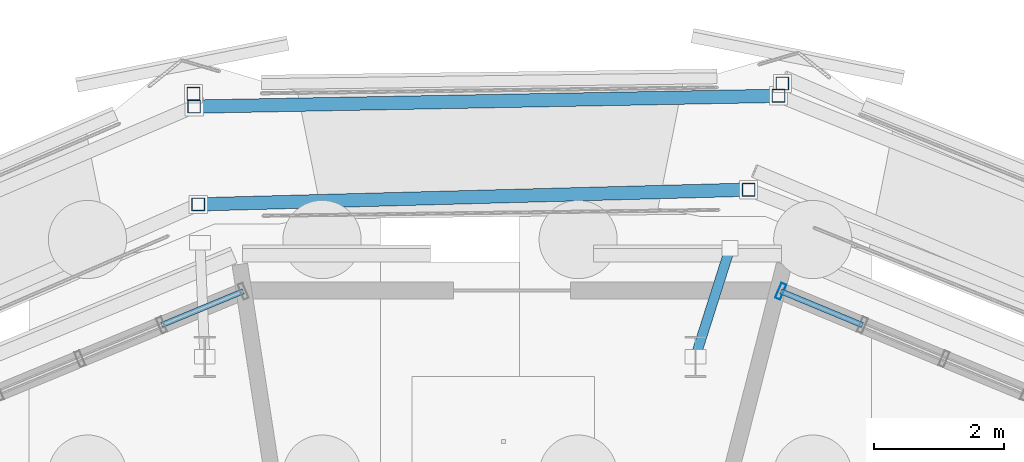
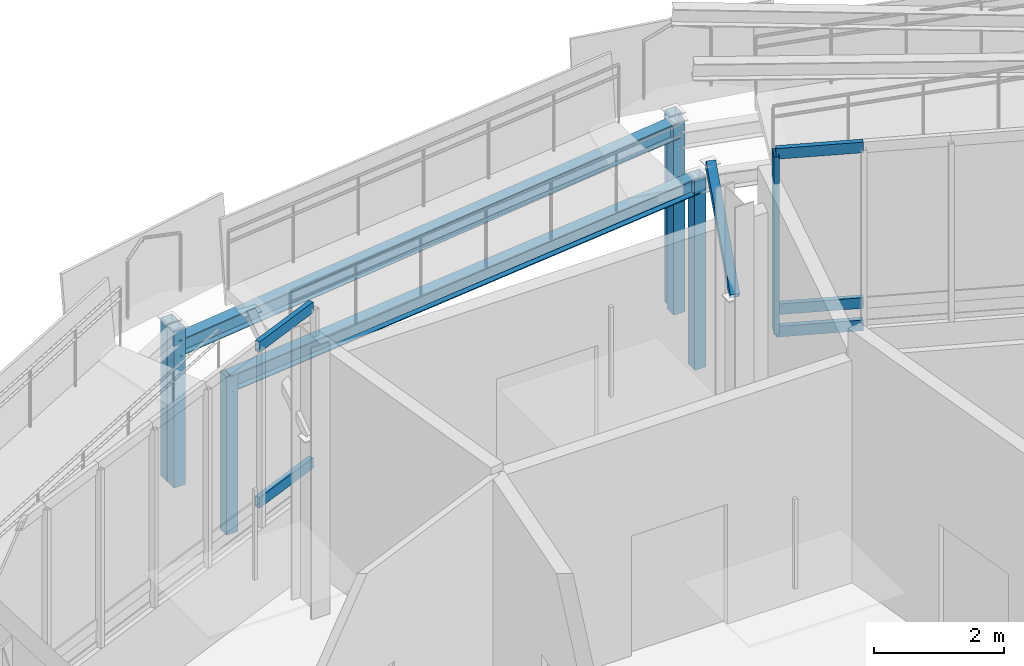
# One storey, part 51 of 119: 13 members, 2 beams, 2 elements without a shape of their own.
"""IFC4 building model written with IfcOpenShell, lengths in metres."""

from ifc_helpers import new_model, si_unit, derived_unit, direction, frame, origin, origin_2d, place, context, subcontext, project, spatial, hollow_rectangle, i_section, extrude, material, layer, layer_set, material_profile, profile_set, type_object, element, aggregate, save


model = new_model("IFC4")

# Units and contexts
model_context = context("Model", 3, precision=1e-05, world=origin(), true_north=direction((0.0, 1.0)))
body_context = subcontext(model_context, "Body", "Model", "MODEL_VIEW")
ifc_project = project(units=[si_unit("LENGTHUNIT", "METRE"), si_unit("AREAUNIT", "SQUARE_METRE"), si_unit("VOLUMEUNIT", "CUBIC_METRE"), si_unit("PLANEANGLEUNIT", "RADIAN"), si_unit("MASSUNIT", "GRAM", prefix="KILO"), derived_unit("THERMALTRANSMITTANCEUNIT", [(si_unit("MASSUNIT", "GRAM", prefix="KILO"), 1), (si_unit("TIMEUNIT", "SECOND"), -3), (si_unit("THERMODYNAMICTEMPERATUREUNIT", "KELVIN"), -1)])], contexts=[model_context])

# Site, building, storey
site_placement = place(None, origin())
site = spatial("IfcSite", under=ifc_project, at=site_placement, CompositionType="ELEMENT")
building_placement = place(site_placement, origin())
building = spatial("IfcBuilding", under=site, at=building_placement, Name="Makaiwela Harbour Ferry Terminal", CompositionType="ELEMENT")
storey_placement = place(building_placement, origin())
storey = spatial("IfcBuildingStorey", under=building, at=storey_placement, Name="L00", CompositionType="ELEMENT", Elevation=0.0)

# Curtain wall, members
ifc_material_1 = material(Name="Marine anodised aluminium 6063-T6", Category="aluminium")
ifc_layer = layer(ifc_material_1, 0.199951171875)
ifc_layer_set = layer_set([ifc_layer], Name="Marine anodised aluminium 6063-T6")
curtain_wall_type = type_object("IfcCurtainWallType", Name="ENV-CW-01", PredefinedType="USERDEFINED", material=ifc_layer_set)
curtain_wall_1_placement = place(storey_placement, origin())
curtain_wall_1 = element("IfcCurtainWall", 1, at=curtain_wall_1_placement, inside=storey, type_object=curtain_wall_type, Name="Unitised Curtain Wall CWA-002", ObjectType="UNITIZED CURTAIN WALL", PredefinedType="USERDEFINED")
ifc_material_profile_1 = material_profile(ifc_material_1, hollow_rectangle(XDim=0.0849609375, YDim=0.25, WallThickness=0.0048828125, at=origin_2d()), Name="CWM-250X85")
ifc_profile_set_1 = profile_set([ifc_material_profile_1], Name="Marine anodised aluminium 6063-T6")
member_type_1 = type_object("IfcMemberType", Name="CW-MUL-250", PredefinedType="MULLION", material=ifc_profile_set_1)
member_1_placement = place(storey_placement, frame((42.174560546875, 88.034912109375, 1.47998046875), z_axis=(0.0, 0.0, 1.0), x_axis=(-0.923879532511, 0.382683432365, 0.0)))
member_1 = element("IfcMember", 2, at=member_1_placement, type_object=member_type_1, Name="Curtain Wall Mullion CWA-002-7", PredefinedType="MULLION", context=body_context, shape_type="SweptSolid", body=[
    extrude(hollow_rectangle(XDim=0.0849609375, YDim=0.25, WallThickness=0.0048828125, at=origin_2d()), origin(), (0.0, 0.0, 1.0), 3.340087890625),
])
ifc_material_profile_2 = material_profile(ifc_material_1, hollow_rectangle(XDim=0.0849609375, YDim=0.199951171875, WallThickness=0.0048828125, at=origin_2d()), Name="CWT-200X85")
ifc_profile_set_2 = profile_set([ifc_material_profile_2], Name="Marine anodised aluminium 6063-T6")
member_type_2 = type_object("IfcMemberType", Name="CW-TRN-200", PredefinedType="USERDEFINED", material=ifc_profile_set_2)
member_2_placement = place(storey_placement, frame((43.427001953125, 87.51611328125, 1.47998046875), z_axis=(-0.923874156886, 0.382696410016, 0.0), x_axis=(-0.382696410016, -0.923874156886, 0.0)))
member_2 = element("IfcMember", 3, at=member_2_placement, type_object=member_type_2, Name="Curtain Wall Transom CWA-002-6-1", ObjectType="TRANSOM", PredefinedType="USERDEFINED", context=body_context, shape_type="SweptSolid", body=[
    extrude(hollow_rectangle(XDim=0.0849609375, YDim=0.199951171875, WallThickness=0.0048828125, at=origin_2d()), origin(), (0.0, 0.0, 1.0), 1.355712890625),
])
member_3_placement = place(storey_placement, frame((43.427001953125, 87.51611328125, 1.89990234375), z_axis=(-0.923874156886, 0.382696410016, 0.0), x_axis=(-0.382696410016, -0.923874156886, 0.0)))
member_3 = element("IfcMember", 4, at=member_3_placement, type_object=member_type_2, Name="Curtain Wall Transom CWA-002-6-2", ObjectType="TRANSOM", PredefinedType="USERDEFINED", context=body_context, shape_type="SweptSolid", body=[
    extrude(hollow_rectangle(XDim=0.0849609375, YDim=0.199951171875, WallThickness=0.0048828125, at=origin_2d()), origin(), (0.0, 0.0, 1.0), 1.355712890625),
])
member_4_placement = place(storey_placement, frame((43.427001953125, 87.51611328125, 4.820068359375), z_axis=(-0.923874156886, 0.382696410016, 0.0), x_axis=(-0.382696410016, -0.923874156886, 0.0)))
member_4 = element("IfcMember", 5, at=member_4_placement, type_object=member_type_2, Name="Curtain Wall Transom CWA-002-6-3", ObjectType="TRANSOM", PredefinedType="USERDEFINED", context=body_context, shape_type="SweptSolid", body=[
    extrude(hollow_rectangle(XDim=0.0849609375, YDim=0.199951171875, WallThickness=0.0048828125, at=origin_2d()), origin(), (0.0, 0.0, 1.0), 1.355712890625),
])
aggregate(curtain_wall_1, [member_1, member_2, member_3, member_4])

curtain_wall_2_placement = place(storey_placement, origin())
curtain_wall_2 = element("IfcCurtainWall", 6, at=curtain_wall_2_placement, inside=storey, type_object=curtain_wall_type, Name="Unitised Curtain Wall CWA-003", ObjectType="UNITIZED CURTAIN WALL", PredefinedType="USERDEFINED")
member_5_placement = place(storey_placement, frame((33.92529296875, 88.034912109375, 1.89990234375), z_axis=(-0.923847774587, -0.38276009378, 0.0), x_axis=(0.38276009378, -0.923847774587, 0.0)))
member_5 = element("IfcMember", 7, at=member_5_placement, type_object=member_type_2, Name="Curtain Wall Transom CWA-003-1-2", ObjectType="TRANSOM", PredefinedType="USERDEFINED", context=body_context, shape_type="SweptSolid", body=[
    extrude(hollow_rectangle(XDim=0.0849609375, YDim=0.199951171875, WallThickness=0.0048828125, at=origin_2d()), origin(), (0.0, 0.0, 1.0), 1.35546875),
])
member_6_placement = place(storey_placement, frame((33.92529296875, 88.034912109375, 4.820068359375), z_axis=(-0.923847774587, -0.38276009378, 0.0), x_axis=(0.38276009378, -0.923847774587, 0.0)))
member_6 = element("IfcMember", 8, at=member_6_placement, type_object=member_type_2, Name="Curtain Wall Transom CWA-003-1-3", ObjectType="TRANSOM", PredefinedType="USERDEFINED", context=body_context, shape_type="SweptSolid", body=[
    extrude(hollow_rectangle(XDim=0.0849609375, YDim=0.199951171875, WallThickness=0.0048828125, at=origin_2d()), origin(), (0.0, 0.0, 1.0), 1.35546875),
])
aggregate(curtain_wall_2, [member_5, member_6])

# Beams
ifc_material_2 = material(Name="Steel ASTM A992 Grade 50", Category="steel")
ifc_material_profile_3 = material_profile(ifc_material_2, i_section(OverallWidth=0.205078125, OverallDepth=0.31005859375, WebThickness=0.009521484375, FlangeThickness=0.016357421875, at=origin_2d()), Name="W12X50")
ifc_profile_set_3 = profile_set([ifc_material_profile_3], Name="Steel ASTM A992 Grade 50")
beam_type = type_object("IfcBeamType", Name="STR-LNT-W12X50", PredefinedType="LINTEL", material=ifc_profile_set_3)
beam_1_placement = place(storey_placement, frame((33.235595703125, 89.3681640625, 2.857421875), z_axis=(0.996805698642, 0.026711730195, 0.07526541453), x_axis=(-0.02678771258, 0.999641144839, 0.0)))
element("IfcBeam", 9, at=beam_1_placement, inside=storey, type_object=beam_type, Name="Coiled Ramp Stringer L00-F6-IN", PredefinedType="LINTEL", context=body_context, shape_type="SweptSolid", body=[
    extrude(i_section(OverallWidth=0.205078125, OverallDepth=0.31005859375, WebThickness=0.009521484375, FlangeThickness=0.016357421875, at=origin_2d()), origin(), (0.0, 0.0, 1.0), 8.47265625),
])
beam_2_placement = place(storey_placement, frame((33.171875, 90.86865234375, 2.634033203125), z_axis=(0.995286443875, 0.018398614124, 0.095217570003), x_axis=(-0.018482590041, 0.999829182343, 0.0)))
element("IfcBeam", 10, at=beam_2_placement, inside=storey, type_object=beam_type, Name="Coiled Ramp Stringer L00-F6-OUT", PredefinedType="LINTEL", context=body_context, shape_type="SweptSolid", body=[
    extrude(i_section(OverallWidth=0.205078125, OverallDepth=0.31005859375, WebThickness=0.009521484375, FlangeThickness=0.016357421875, at=origin_2d()), origin(), (0.0, 0.0, 1.0), 9.010009765625),
])

# Members
ifc_material_3 = material(Name="Steel ASTM A500 Grade C", Category="steel")
ifc_material_profile_4 = material_profile(ifc_material_3, hollow_rectangle(XDim=0.202880859375, YDim=0.202880859375, WallThickness=0.01171875, at=origin_2d()), Name="HSS8X8X1/2")
ifc_profile_set_4 = profile_set([ifc_material_profile_4], Name="Steel ASTM A500 Grade C")
member_type_3 = type_object("IfcMemberType", Name="STR-PST-HSS8", PredefinedType="POST", material=ifc_profile_set_4)
member_7_placement = place(storey_placement, frame((33.235595703125, 89.3681640625, 0.050048828125), z_axis=(0.0, 0.0, 1.0), x_axis=(1.0, 0.0, 0.0)))
element("IfcMember", 11, at=member_7_placement, inside=storey, type_object=member_type_3, Name="Exterior Ramp Support Post RP-0064", PredefinedType="POST", context=body_context, shape_type="SweptSolid", body=[
    extrude(hollow_rectangle(XDim=0.202880859375, YDim=0.202880859375, WallThickness=0.01171875, at=origin_2d()), origin(), (0.0, 0.0, 1.0), 2.96240234375),
])
member_8_placement = place(storey_placement, frame((33.171875, 90.86865234375, 0.050048828125), z_axis=(0.0, 0.0, 1.0), x_axis=(1.0, 0.0, 0.0)))
element("IfcMember", 12, at=member_8_placement, inside=storey, type_object=member_type_3, Name="Exterior Ramp Support Post RP-0066", PredefinedType="POST", context=body_context, shape_type="SweptSolid", body=[
    extrude(hollow_rectangle(XDim=0.202880859375, YDim=0.202880859375, WallThickness=0.01171875, at=origin_2d()), origin(), (0.0, 0.0, 1.0), 2.95947265625),
])
member_9_placement = place(storey_placement, frame((33.16357421875, 91.066650390625, 0.050048828125), z_axis=(0.0, 0.0, 1.0), x_axis=(1.0, 0.0, 0.0)))
element("IfcMember", 13, at=member_9_placement, inside=storey, type_object=member_type_3, Name="Exterior Ramp Support Post RP-0068", PredefinedType="POST", context=body_context, shape_type="SweptSolid", body=[
    extrude(hollow_rectangle(XDim=0.202880859375, YDim=0.202880859375, WallThickness=0.01171875, at=origin_2d()), origin(), (0.0, 0.0, 1.0), 2.967529296875),
])
member_10_placement = place(storey_placement, frame((41.68115234375, 89.594482421875, 0.050048828125), z_axis=(0.0, 0.0, 1.0), x_axis=(1.0, 0.0, 0.0)))
element("IfcMember", 14, at=member_10_placement, inside=storey, type_object=member_type_3, Name="Exterior Ramp Support Post RP-0078", PredefinedType="POST", context=body_context, shape_type="SweptSolid", body=[
    extrude(hollow_rectangle(XDim=0.202880859375, YDim=0.202880859375, WallThickness=0.01171875, at=origin_2d()), origin(), (0.0, 0.0, 1.0), 3.599853515625),
])
member_11_placement = place(storey_placement, frame((42.139404296875, 91.034423828125, 0.050048828125), z_axis=(0.0, 0.0, 1.0), x_axis=(1.0, 0.0, 0.0)))
element("IfcMember", 15, at=member_11_placement, inside=storey, type_object=member_type_3, Name="Exterior Ramp Support Post RP-0081", PredefinedType="POST", context=body_context, shape_type="SweptSolid", body=[
    extrude(hollow_rectangle(XDim=0.202880859375, YDim=0.202880859375, WallThickness=0.01171875, at=origin_2d()), origin(), (0.0, 0.0, 1.0), 3.596923828125),
])
member_12_placement = place(storey_placement, frame((42.19970703125, 91.22412109375, 0.050048828125), z_axis=(0.0, 0.0, 1.0), x_axis=(1.0, 0.0, 0.0)))
element("IfcMember", 16, at=member_12_placement, inside=storey, type_object=member_type_3, Name="Exterior Ramp Support Post RP-0082", PredefinedType="POST", context=body_context, shape_type="SweptSolid", body=[
    extrude(hollow_rectangle(XDim=0.202880859375, YDim=0.202880859375, WallThickness=0.01171875, at=origin_2d()), origin(), (0.0, 0.0, 1.0), 3.60498046875),
])
ifc_material_profile_5 = material_profile(ifc_material_3, hollow_rectangle(XDim=0.152099609375, YDim=0.152099609375, WallThickness=0.0087890625, at=origin_2d()), Name="HSS6X6X3/8")
ifc_profile_set_5 = profile_set([ifc_material_profile_5], Name="Steel ASTM A500 Grade C")
member_type_4 = type_object("IfcMemberType", Name="STR-STT-HSS6", PredefinedType="STRUT", material=ifc_profile_set_5)
member_13_placement = place(storey_placement, frame((40.865234375, 87.029296875, 3.199951171875), z_axis=(0.242548356677, 0.76247023675, 0.599841172931), x_axis=(-0.95294593127, 0.303140317472, 0.0)))
element("IfcMember", 17, at=member_13_placement, inside=storey, type_object=member_type_4, Name="Structural Member SR-01", PredefinedType="STRUT", context=body_context, shape_type="SweptSolid", body=[
    extrude(hollow_rectangle(XDim=0.152099609375, YDim=0.152099609375, WallThickness=0.0087890625, at=origin_2d()), origin(), (0.0, 0.0, 1.0), 2.187255859375),
])

save(model, "model.ifc")
